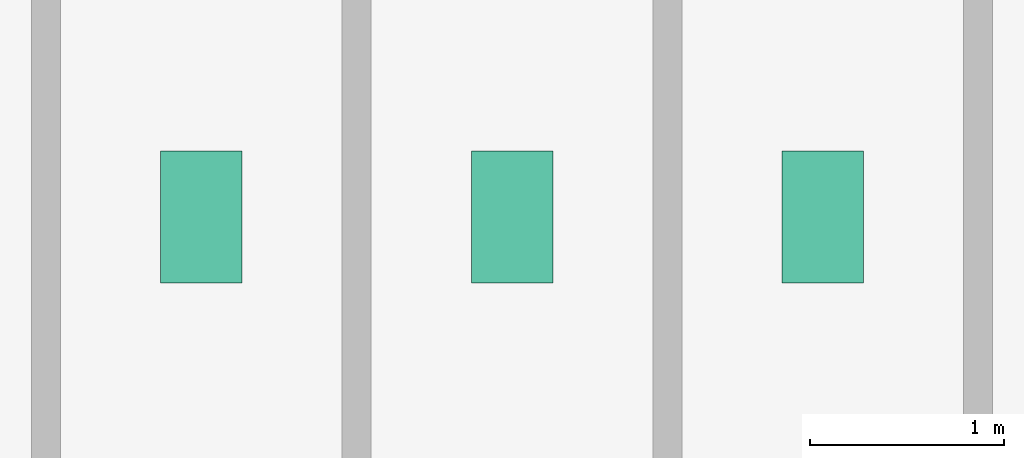
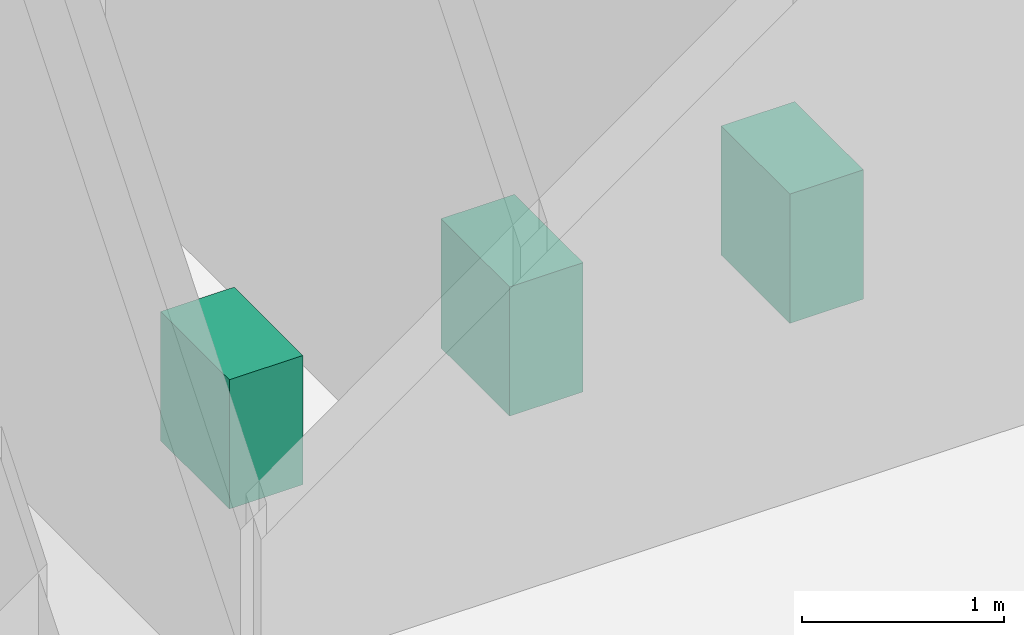
# One storey, part 26 of 26: 3 sanitary terminals.
"""IFC4 building model written with IfcOpenShell, lengths in metres."""

from ifc_helpers import new_model, si_unit, derived_unit, direction, frame, origin, origin_2d, place, context, subcontext, project, spatial, rectangle, extrude, source, transform, mapped, material, type_object, element, save


model = new_model("IFC4")

# Units and contexts
model_context = context("Model", 3, precision=1e-05, world=origin(), true_north=direction((0.0, 1.0)))
body_context = subcontext(model_context, "Body", "Model", "MODEL_VIEW")
ifc_project = project(units=[si_unit("LENGTHUNIT", "METRE"), si_unit("AREAUNIT", "SQUARE_METRE"), si_unit("VOLUMEUNIT", "CUBIC_METRE"), si_unit("PLANEANGLEUNIT", "RADIAN"), si_unit("MASSUNIT", "GRAM", prefix="KILO"), derived_unit("THERMALTRANSMITTANCEUNIT", [(si_unit("POWERUNIT", "WATT"), 1), (si_unit("LENGTHUNIT", "METRE"), -2), (si_unit("THERMODYNAMICTEMPERATUREUNIT", "KELVIN"), -1)])], contexts=[model_context])

# Site, building, storey
site_placement = place(None, origin())
site = spatial("IfcSite", under=ifc_project, at=site_placement, CompositionType="ELEMENT")
building_placement = place(site_placement, origin())
building = spatial("IfcBuilding", under=site, at=building_placement, Name="Skarnbrae Concourse Arena and Tower", CompositionType="ELEMENT")
storey_placement = place(building_placement, frame((0.0, 0.0, 117.85009765625)))
storey = spatial("IfcBuildingStorey", under=building, at=storey_placement, Name="L29", CompositionType="ELEMENT", Elevation=117.85009765625)

# Sanitary terminals
ifc_material = material(Name="Vitreous china sanitaryware", Category="other")
sanitary_terminal_type = type_object("IfcSanitaryTerminalType", Name="SAN-WC-VITREOUS", PredefinedType="TOILETPAN", material=ifc_material)
shared_shape = source(origin(), body_context, "Body", "SweptSolid", [
    extrude(rectangle(XDim=0.419921875, YDim=0.679931640625, at=origin_2d()), origin(), (0.0, 0.0, 1.0), 0.780029296875),
])
for number, where, z_axis, x_axis, name in (
    (1, (35.0, 11.39990234375, 0.0), (0.0, 0.0, 1.0), (1.0, 0.0, 0.0), "L29 Washroom WC fixture 1"),
    (2, (36.60009765625, 11.39990234375, 0.0), (0.0, 0.0, 1.0), (1.0, 0.0, 0.0), "L29 Washroom WC fixture 2"),
    (3, (38.199951171875, 11.39990234375, 0.0), (0.0, 0.0, 1.0), (1.0, 0.0, 0.0), "L29 Washroom WC fixture 3"),
):
    element("IfcSanitaryTerminal", number, at=place(storey_placement, frame(where, z_axis=z_axis, x_axis=x_axis)), inside=storey, type_object=sanitary_terminal_type, Name=name, PredefinedType="TOILETPAN", context=body_context, shape_type="MappedRepresentation", body=[
        mapped(shared_shape, transform((0.0, 0.0, 0.0))),
    ])

save(model, "model.ifc")
